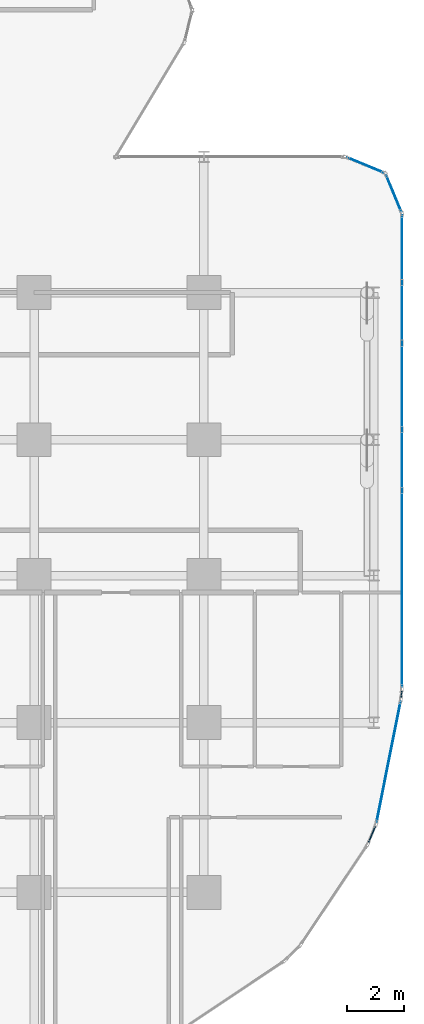
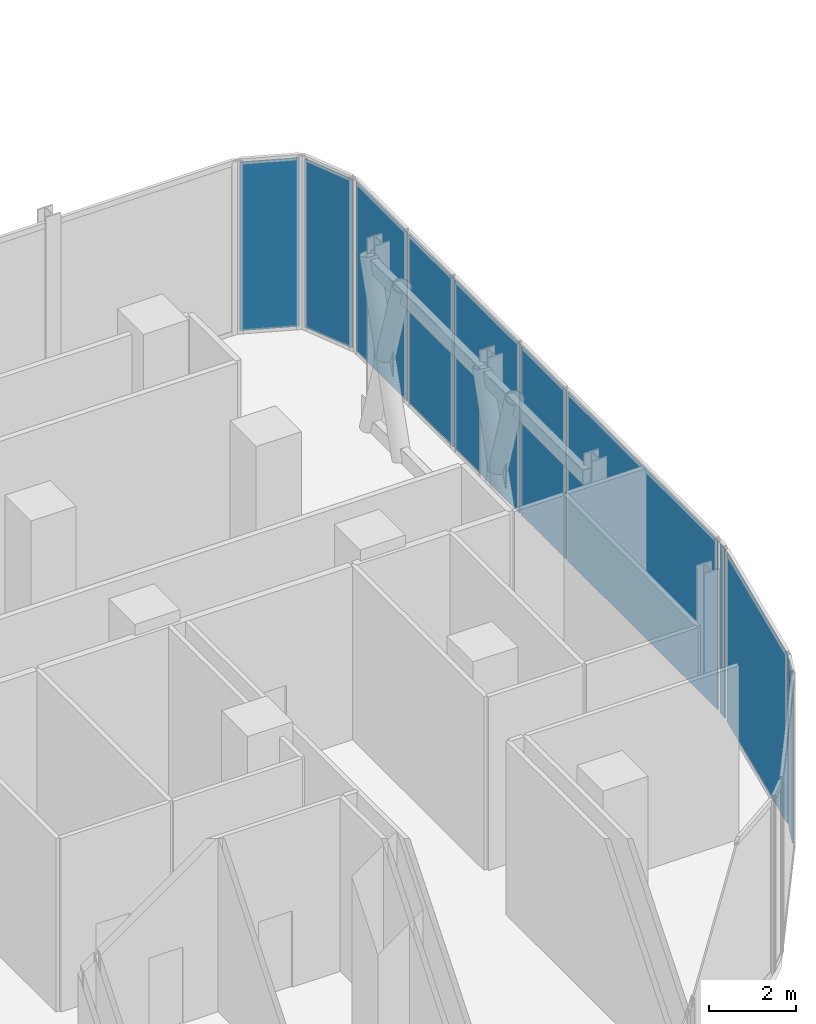
# One storey, part 26 of 36: 10 plates, 10 elements without a shape of their own.
"""IFC4 building model written with IfcOpenShell, lengths in metres."""

import ifcopenshell
import ifcopenshell.guid

model = None  # the IFC model being written
_history = None  # IfcOwnerHistory: only IFC2X3 demands one
_inside = {}  # id of a spatial element -> (the spatial element, [elements in it])
_under = {}  # id of a project, library or spatial element -> (it, [spatial elements below it])
_declared = {}  # id of a project -> (the project, [libraries it declares])
_typed = {}  # id of a type object -> (the type object, [elements of that type])
_made_of = {}  # id of a material, layer set ... -> (it, [elements and type objects made of it])


def new_model(schema):
    """Start an empty IFC model of exactly this schema.

    Asked for "IFC4X3", IfcOpenShell would pick the latest addendum, in which some entities
    have other attributes; the version numbers below select the first issue.
    IFC2X3 requires an IfcOwnerHistory on every rooted entity: one is made here for all.
    """
    global model, _history
    if schema == "IFC4X3":
        model = ifcopenshell.file(schema_version=(4, 3, 0, 0))
    else:
        model = ifcopenshell.file(schema=schema)
    _inside.clear()
    _under.clear()
    _declared.clear()
    _typed.clear()
    _made_of.clear()
    _history = None
    if model.schema == "IFC2X3":
        org = make("IfcOrganization", Name="unknown")
        user = make(
            "IfcPersonAndOrganization",
            ThePerson=make("IfcPerson", FamilyName="unknown"),
            TheOrganization=org,
        )
        app = make(
            "IfcApplication",
            ApplicationDeveloper=org,
            Version="unknown",
            ApplicationFullName="unknown",
            ApplicationIdentifier="unknown",
        )
        _history = make(
            "IfcOwnerHistory",
            OwningUser=user,
            OwningApplication=app,
            ChangeAction="ADDED",
            CreationDate=0,
        )
    return model


def make(cls, **values):
    """One entity of the class cls with the attributes given. An attribute that is None is left unset."""
    return model.create_entity(
        cls, **{name: value for name, value in values.items() if value is not None}
    )


def rooted(cls, **values):
    """An entity with a GlobalId (a new one), such as an element, a storey or a relation."""
    return make(cls, GlobalId=ifcopenshell.guid.new(), OwnerHistory=_history, **values)


def si_unit(unit_type, name, prefix=None):
    """IfcSIUnit, for example si_unit("LENGTHUNIT", "METRE", prefix="MILLI")."""
    return make("IfcSIUnit", UnitType=unit_type, Prefix=prefix, Name=name)


def assignment(units):
    """IfcUnitAssignment: the units of a project."""
    return None if units is None else make("IfcUnitAssignment", Units=units)


def point(xyz):
    """IfcCartesianPoint."""
    return None if xyz is None else make("IfcCartesianPoint", Coordinates=xyz)


def direction(xyz):
    """IfcDirection."""
    return None if xyz is None else make("IfcDirection", DirectionRatios=xyz)


def frame(location, z_axis=None, x_axis=None):
    """IfcAxis2Placement3D, a coordinate frame: its origin and axes. An axis left out is left unset."""
    return make(
        "IfcAxis2Placement3D",
        Location=point(location),
        Axis=direction(z_axis),
        RefDirection=direction(x_axis),
    )


def frame_2d(location, x_axis=None):
    """IfcAxis2Placement2D, a coordinate frame in the plane: its origin and x axis."""
    return make(
        "IfcAxis2Placement2D", Location=point(location), RefDirection=direction(x_axis)
    )


def origin():
    """The frame at (0, 0, 0) with its axes left unset."""
    return frame((0.0, 0.0, 0.0))


def origin_2d():
    """The frame at (0, 0) in the plane with its x axis left unset."""
    return frame_2d((0.0, 0.0))


def place(relative_to, where):
    """IfcLocalPlacement: puts the frame where relative to a parent placement (None: the world)."""
    return make(
        "IfcLocalPlacement", PlacementRelTo=relative_to, RelativePlacement=where
    )


def context(
    kind, dimensions, precision=None, world=None, true_north=None, identifier=None
):
    """IfcGeometricRepresentationContext, for example the 3D "Model" context."""
    return make(
        "IfcGeometricRepresentationContext",
        ContextIdentifier=identifier,
        ContextType=kind,
        CoordinateSpaceDimension=dimensions,
        Precision=precision,
        WorldCoordinateSystem=world,
        TrueNorth=true_north,
    )


def subcontext(parent, identifier, kind, view, scale=None):
    """IfcGeometricRepresentationSubContext, for example "Body" below "Model"."""
    return make(
        "IfcGeometricRepresentationSubContext",
        ContextIdentifier=identifier,
        ContextType=kind,
        ParentContext=parent,
        TargetScale=scale,
        TargetView=view,
    )


def project(units=None, contexts=None):
    """IfcProject with its units and contexts."""
    return rooted(
        "IfcProject",
        Name="project",
        RepresentationContexts=contexts,
        UnitsInContext=assignment(units),
    )


def spatial(cls, under=None, at=None, **own):
    """A site, building, storey or space (cls), placed at a placement, below another one or the project."""
    s = rooted(cls, ObjectPlacement=at, **own)
    if under is not None:
        _under.setdefault(under.id(), (under, []))[1].append(s)
    return s


def profile(cls, at=None, kind="AREA", **sizes):
    """A parametric profile (cls). Its sizes go by their IFC names, for example OverallWidth=200.0."""
    return make(cls, ProfileType=kind, Position=at, **sizes)


def rectangle(**sizes):
    """IfcRectangleProfileDef."""
    return profile("IfcRectangleProfileDef", **sizes)


def extrude(swept, where, along, depth):
    """IfcExtrudedAreaSolid: the profile swept, set in the frame where, extruded along a direction by depth."""
    return make(
        "IfcExtrudedAreaSolid",
        SweptArea=swept,
        Position=where,
        ExtrudedDirection=direction(along),
        Depth=depth,
    )


def shape(context_of_items, identifier, shape_type, items):
    """IfcShapeRepresentation: the items that make up one representation, for example the "Body"."""
    return make(
        "IfcShapeRepresentation",
        ContextOfItems=context_of_items,
        RepresentationIdentifier=identifier,
        RepresentationType=shape_type,
        Items=items,
    )


def material(Name=None, Category=None):
    """IfcMaterial."""
    return make("IfcMaterial", Name=Name, Category=Category)


def layer(
    of_material, thickness, ventilated=None, Name=None, Category=None, Priority=None
):
    """IfcMaterialLayer: one layer of a wall or slab, of a material (None: an air gap)."""
    return make(
        "IfcMaterialLayer",
        Material=of_material,
        LayerThickness=thickness,
        IsVentilated=ventilated,
        Name=Name,
        Category=Category,
        Priority=Priority,
    )


def layer_set(layers, Name=None):
    """IfcMaterialLayerSet."""
    return make("IfcMaterialLayerSet", MaterialLayers=layers, LayerSetName=Name)


def made_of(thing, what):
    """Note that an element or type object is made of a material, layer set ...; save() writes the relation."""
    if what is not None:
        _made_of.setdefault(what.id(), (what, []))[1].append(thing)
    return thing


def type_object(cls, material=None, **own):
    """A type object (cls), such as IfcWallType, which elements share."""
    return made_of(rooted(cls, **own), material)


def element(
    cls,
    number,
    at=None,
    inside=None,
    cuts=None,
    type_object=None,
    material=None,
    context=None,
    identifier="Body",
    shape_type=None,
    held_by="IfcProductDefinitionShape",
    body=None,
    shapes=None,
    **own,
):
    """One element of the class cls, such as IfcWall. Its Tag is "e" and its number.

    at: its placement. inside: the storey or other place that contains it. cuts: it is an
    opening in that element (IfcRelVoidsElement). A single representation is given by context,
    identifier, shape_type and body (its items); several are given by shapes. held_by: the class
    of the entity that holds the representations. save() writes the other relations.
    """
    e = rooted(cls, Tag="e%d" % number, ObjectPlacement=at, **own)
    if body is not None:
        shapes = [shape(context, identifier, shape_type, body)]
    if shapes is not None:
        e.Representation = make(held_by, Representations=shapes)
    if inside is not None:
        _inside.setdefault(inside.id(), (inside, []))[1].append(e)
    if cuts is not None:
        rooted(
            "IfcRelVoidsElement", RelatingBuildingElement=cuts, RelatedOpeningElement=e
        )
    if type_object is not None:
        _typed.setdefault(type_object.id(), (type_object, []))[1].append(e)
    return made_of(e, material)


def aggregate(whole, parts):
    """IfcRelAggregates: a whole, such as a stair, and the parts it consists of."""
    return rooted("IfcRelAggregates", RelatingObject=whole, RelatedObjects=parts)


def save(model, path):
    """Write the relations noted so far, then the file.

    IfcRelAggregates (storeys below a building ...), IfcRelContainedInSpatialStructure (elements
    in a storey), IfcRelDefinesByType, IfcRelAssociatesMaterial and IfcRelDeclares: one each for
    every whole, place, type object, material and project.
    """
    for whole, parts in _under.values():
        aggregate(whole, parts)
    for where, things in _inside.values():
        rooted(
            "IfcRelContainedInSpatialStructure",
            RelatedElements=things,
            RelatingStructure=where,
        )
    for kind, things in _typed.values():
        rooted("IfcRelDefinesByType", RelatedObjects=things, RelatingType=kind)
    for what, things in _made_of.values():
        rooted("IfcRelAssociatesMaterial", RelatedObjects=things, RelatingMaterial=what)
    for by, libraries in _declared.values():
        rooted("IfcRelDeclares", RelatingContext=by, RelatedDefinitions=libraries)
    model.write(path)


model = new_model("IFC4")

# Units and contexts
model_context = context("Model", 3, precision=1e-05, world=origin(), true_north=direction((0.0, 1.0)))
body_context = subcontext(model_context, "Body", "Model", "MODEL_VIEW")
ifc_project = project(units=[si_unit("LENGTHUNIT", "METRE"), si_unit("AREAUNIT", "SQUARE_METRE"), si_unit("VOLUMEUNIT", "CUBIC_METRE"), si_unit("PLANEANGLEUNIT", "RADIAN"), si_unit("MASSUNIT", "GRAM", prefix="KILO")], contexts=[model_context])

# Site, building, storey
site_placement = place(None, origin())
site = spatial("IfcSite", under=ifc_project, at=site_placement, CompositionType="ELEMENT")
building_placement = place(site_placement, origin())
building = spatial("IfcBuilding", under=site, at=building_placement, Name="Keshet Zoharim Tower", CompositionType="ELEMENT")
storey_placement = place(building_placement, frame((0.0, 0.0, 81.199951171875)))
storey = spatial("IfcBuildingStorey", under=building, at=storey_placement, Name="L19", CompositionType="ELEMENT", Elevation=81.199951171875)

# Curtain wall, plate
ifc_material_1 = material(Name="Aluminium 6063-T6", Category="aluminium")
ifc_layer_1 = layer(ifc_material_1, 0.179931640625)
ifc_layer_set_1 = layer_set([ifc_layer_1], Name="Aluminium 6063-T6")
curtain_wall_type_1 = type_object("IfcCurtainWallType", Name="CW-SYS-01", PredefinedType="NOTDEFINED", material=ifc_layer_set_1)
curtain_wall_1_placement = place(storey_placement, origin())
curtain_wall_1 = element("IfcCurtainWall", 1, at=curtain_wall_1_placement, inside=storey, type_object=curtain_wall_type_1, Name="L19 Unitised Curtain Wall 19", PredefinedType="NOTDEFINED")
ifc_material_2 = material(Name="Insulated Low-E Clear Glass", Category="glass")
ifc_layer_2 = layer(ifc_material_2, 0.035888671875)
ifc_layer_set_2 = layer_set([ifc_layer_2], Name="Insulated Low-E Clear Glass")
plate_type_1 = type_object("IfcPlateType", Name="CWP-01", PredefinedType="CURTAIN_PANEL", material=ifc_layer_set_2)
plate_1_placement = place(storey_placement, frame((68.9384765625, 8.75439453125, 0.070068359375), z_axis=(0.0, 0.0, 1.0), x_axis=(-0.383068349739, -0.923720000557, 0.0)))
plate_1 = element("IfcPlate", 2, at=plate_1_placement, type_object=plate_type_1, Name="CW-01 panel 1.1", PredefinedType="CURTAIN_PANEL", context=body_context, shape_type="SweptSolid", body=[
    extrude(rectangle(XDim=0.640625, YDim=0.035888671875, at=origin_2d()), origin(), (0.0, 0.0, 1.0), 4.7451171875),
])
aggregate(curtain_wall_1, [plate_1])

ifc_layer_3 = layer(ifc_material_1, 0.169921875)
ifc_layer_set_3 = layer_set([ifc_layer_3], Name="Aluminium 6063-T6")
curtain_wall_type_2 = type_object("IfcCurtainWallType", Name="CW-SYS-02", PredefinedType="NOTDEFINED", material=ifc_layer_set_3)
curtain_wall_2_placement = place(storey_placement, origin())
curtain_wall_2 = element("IfcCurtainWall", 3, at=curtain_wall_2_placement, inside=storey, type_object=curtain_wall_type_2, Name="L19 Unitised Curtain Wall 14", PredefinedType="NOTDEFINED")
ifc_layer_4 = layer(ifc_material_2, 0.031982421875)
ifc_layer_set_4 = layer_set([ifc_layer_4], Name="Insulated Low-E Clear Glass")
plate_type_2 = type_object("IfcPlateType", Name="CWP-02", PredefinedType="CURTAIN_PANEL", material=ifc_layer_set_4)
plate_2_placement = place(storey_placement, frame((68.70703125, 32.406982421875, 0.070068359375), z_axis=(0.0, 0.0, 1.0), x_axis=(0.92380975372, -0.382851849847, 0.0)))
plate_2 = element("IfcPlate", 4, at=plate_2_placement, type_object=plate_type_2, Name="CW-02 panel 1.1", PredefinedType="CURTAIN_PANEL", context=body_context, shape_type="SweptSolid", body=[
    extrude(rectangle(XDim=1.390625, YDim=0.031982421875, at=origin_2d()), origin(), (0.0, 0.0, 1.0), 4.7451171875),
])
aggregate(curtain_wall_2, [plate_2])

curtain_wall_3_placement = place(storey_placement, origin())
curtain_wall_3 = element("IfcCurtainWall", 5, at=curtain_wall_3_placement, inside=storey, type_object=curtain_wall_type_2, Name="L19 Unitised Curtain Wall 15", PredefinedType="NOTDEFINED")
plate_3_placement = place(storey_placement, frame((69.70703125, 31.406982421875, 0.070068359375), z_axis=(0.0, 0.0, 1.0), x_axis=(0.382851849847, -0.92380975372, 0.0)))
plate_3 = element("IfcPlate", 6, at=plate_3_placement, type_object=plate_type_2, Name="CW-02 panel 1.1", PredefinedType="CURTAIN_PANEL", context=body_context, shape_type="SweptSolid", body=[
    extrude(rectangle(XDim=1.390625, YDim=0.031982421875, at=origin_2d()), origin(), (0.0, 0.0, 1.0), 4.7451171875),
])
aggregate(curtain_wall_3, [plate_3])

curtain_wall_4_placement = place(storey_placement, origin())
curtain_wall_4 = element("IfcCurtainWall", 7, at=curtain_wall_4_placement, inside=storey, type_object=curtain_wall_type_2, Name="L19 Unitised Curtain Wall 16", PredefinedType="NOTDEFINED")
plate_4_placement = place(storey_placement, frame((70.0, 29.459228515625, 0.070068359375), z_axis=(0.0, 0.0, 1.0), x_axis=(0.0, -1.0, 0.0)))
plate_4 = element("IfcPlate", 8, at=plate_4_placement, type_object=plate_type_2, Name="CW-02 panel 1.1", PredefinedType="CURTAIN_PANEL", context=body_context, shape_type="SweptSolid", body=[
    extrude(rectangle(XDim=2.341552734375, YDim=0.031982421875, at=origin_2d()), origin(), (0.0, 0.0, 1.0), 4.7451171875),
])
aggregate(curtain_wall_4, [plate_4])

curtain_wall_5_placement = place(storey_placement, origin())
curtain_wall_5 = element("IfcCurtainWall", 9, at=curtain_wall_5_placement, inside=storey, type_object=curtain_wall_type_2, Name="L19 Unitised Curtain Wall 16 Part 3", PredefinedType="NOTDEFINED")
plate_5_placement = place(storey_placement, frame((70.0, 24.5849609375, 0.070068359375), z_axis=(0.0, 0.0, 1.0), x_axis=(0.0, -1.0, 0.0)))
plate_5 = element("IfcPlate", 10, at=plate_5_placement, type_object=plate_type_2, Name="CW-02 panel 1.1", PredefinedType="CURTAIN_PANEL", context=body_context, shape_type="SweptSolid", body=[
    extrude(rectangle(XDim=2.9931640625, YDim=0.031982421875, at=origin_2d()), origin(), (0.0, 0.0, 1.0), 4.7451171875),
])
aggregate(curtain_wall_5, [plate_5])

curtain_wall_6_placement = place(storey_placement, origin())
curtain_wall_6 = element("IfcCurtainWall", 11, at=curtain_wall_6_placement, inside=storey, type_object=curtain_wall_type_2, Name="L19 Unitised Curtain Wall 16 Part 5", PredefinedType="NOTDEFINED")
plate_6_placement = place(storey_placement, frame((70.0, 17.42431640625, 0.070068359375), z_axis=(0.0, 0.0, 1.0), x_axis=(0.0, -1.0, 0.0)))
plate_6 = element("IfcPlate", 12, at=plate_6_placement, type_object=plate_type_2, Name="CW-02 panel 1.1", PredefinedType="CURTAIN_PANEL", context=body_context, shape_type="SweptSolid", body=[
    extrude(rectangle(XDim=6.91455078125, YDim=0.031982421875, at=origin_2d()), origin(), (0.0, 0.0, 1.0), 4.7451171875),
])
aggregate(curtain_wall_6, [plate_6])

curtain_wall_7_placement = place(storey_placement, origin())
curtain_wall_7 = element("IfcCurtainWall", 13, at=curtain_wall_7_placement, inside=storey, type_object=curtain_wall_type_2, Name="L19 Unitised Curtain Wall 17", PredefinedType="NOTDEFINED")
plate_7_placement = place(storey_placement, frame((69.98095703125, 13.701904296875, 0.070068359375), z_axis=(0.0, 0.0, 1.0), x_axis=(-0.096976648633, -0.995286657009, 0.0)))
plate_7 = element("IfcPlate", 14, at=plate_7_placement, type_object=plate_type_2, Name="CW-02 panel 1.1", PredefinedType="CURTAIN_PANEL", context=body_context, shape_type="SweptSolid", body=[
    extrude(rectangle(XDim=0.251953125, YDim=0.031982421875, at=origin_2d()), origin(), (0.0, 0.0, 1.0), 4.7451171875),
])
aggregate(curtain_wall_7, [plate_7])

curtain_wall_8_placement = place(storey_placement, origin())
curtain_wall_8 = element("IfcCurtainWall", 15, at=curtain_wall_8_placement, inside=storey, type_object=curtain_wall_type_2, Name="L19 Unitised Curtain Wall 18", PredefinedType="NOTDEFINED")
plate_8_placement = place(storey_placement, frame((69.52490234375, 11.31103515625, 0.070068359375), z_axis=(0.0, 0.0, 1.0), x_axis=(-0.195171279072, -0.98076917357, 0.0)))
plate_8 = element("IfcPlate", 16, at=plate_8_placement, type_object=plate_type_2, Name="CW-02 panel 1.1", PredefinedType="CURTAIN_PANEL", context=body_context, shape_type="SweptSolid", body=[
    extrude(rectangle(XDim=4.338134765625, YDim=0.031982421875, at=origin_2d()), origin(), (0.0, 0.0, 1.0), 4.7451171875),
])
aggregate(curtain_wall_8, [plate_8])

curtain_wall_9_placement = place(storey_placement, origin())
curtain_wall_9 = element("IfcCurtainWall", 17, at=curtain_wall_9_placement, inside=storey, type_object=curtain_wall_type_2, Name="L19 Unitised Curtain Wall 16 Part 2", PredefinedType="NOTDEFINED")
ifc_material_3 = material(Name="Insulated Aluminium Spandrel Panel", Category="aluminium")
ifc_layer_5 = layer(ifc_material_3, 0.031982421875)
ifc_layer_set_5 = layer_set([ifc_layer_5], Name="Insulated Aluminium Spandrel Panel")
plate_type_3 = type_object("IfcPlateType", Name="CWP-05", PredefinedType="CURTAIN_PANEL", material=ifc_layer_set_5)
plate_9_placement = place(storey_placement, frame((70.0, 27.18505859375, 0.070068359375), z_axis=(0.0, 0.0, 1.0), x_axis=(0.0, -1.0, 0.0)))
plate_9 = element("IfcPlate", 18, at=plate_9_placement, type_object=plate_type_3, Name="CW-02 spandrel panel 1.1", PredefinedType="CURTAIN_PANEL", context=body_context, shape_type="SweptSolid", body=[
    extrude(rectangle(XDim=2.06689453125, YDim=0.031982421875, at=origin_2d()), origin(), (0.0, 0.0, 1.0), 4.7451171875),
])
aggregate(curtain_wall_9, [plate_9])

curtain_wall_10_placement = place(storey_placement, origin())
curtain_wall_10 = element("IfcCurtainWall", 19, at=curtain_wall_10_placement, inside=storey, type_object=curtain_wall_type_2, Name="L19 Unitised Curtain Wall 16 Part 4", PredefinedType="NOTDEFINED")
plate_10_placement = place(storey_placement, frame((70.0, 21.985107421875, 0.070068359375), z_axis=(0.0, 0.0, 1.0), x_axis=(0.0, -1.0, 0.0)))
plate_10 = element("IfcPlate", 20, at=plate_10_placement, type_object=plate_type_3, Name="CW-02 spandrel panel 1.1", PredefinedType="CURTAIN_PANEL", context=body_context, shape_type="SweptSolid", body=[
    extrude(rectangle(XDim=2.06689453125, YDim=0.031982421875, at=origin_2d()), origin(), (0.0, 0.0, 1.0), 4.7451171875),
])
aggregate(curtain_wall_10, [plate_10])

save(model, "model.ifc")
